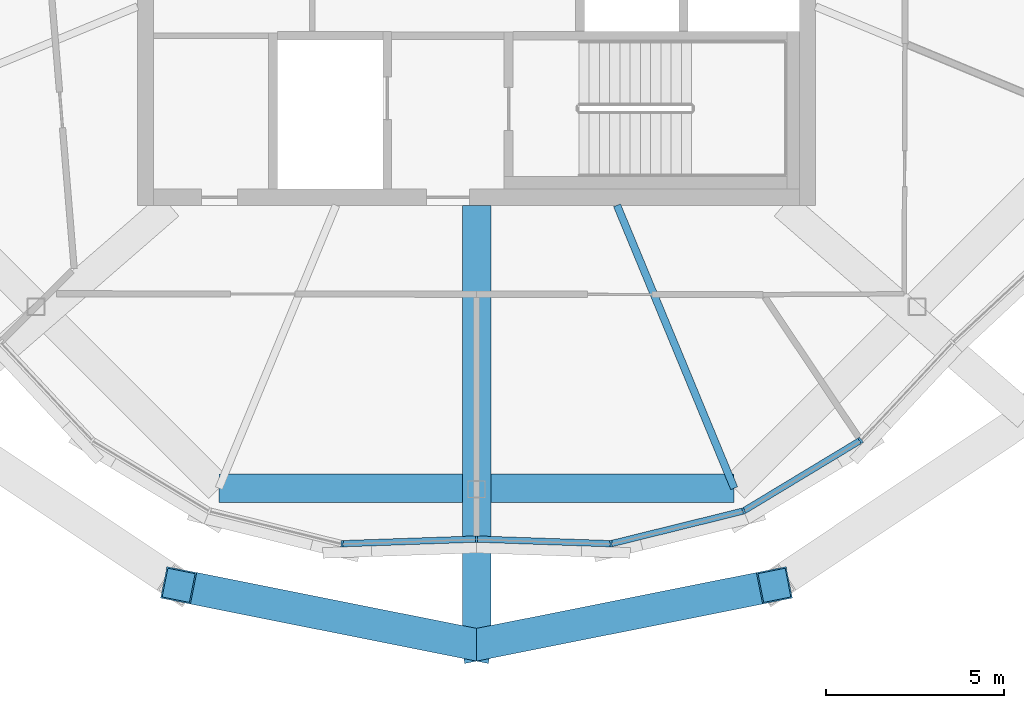
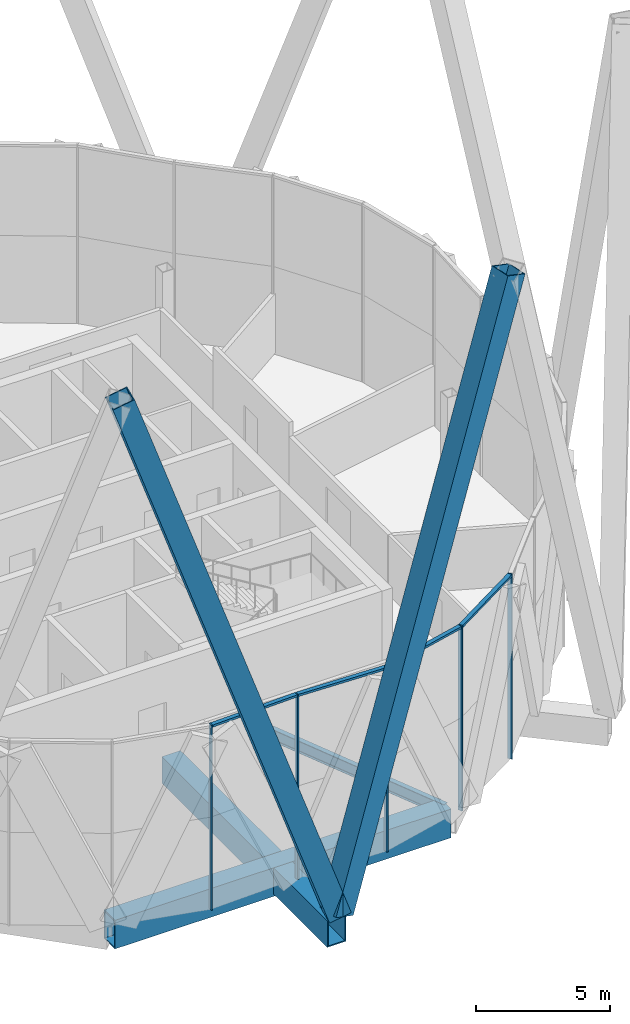
# One storey, part 4 of 38: 11 members, 3 beams, 2 elements without a shape of their own.
"""IFC4 building model written with IfcOpenShell, lengths in metres."""

from ifc_helpers import new_model, si_unit, direction, frame, origin, origin_2d, place, context, subcontext, project, spatial, rectangle, hollow_rectangle, i_section, extrude, material, material_profile, profile_set, type_object, element, aggregate, save


model = new_model("IFC4")

# Units and contexts
model_context = context("Model", 3, precision=1e-05, world=origin(), true_north=direction((0.0, 1.0)))
body_context = subcontext(model_context, "Body", "Model", "MODEL_VIEW")
ifc_project = project(units=[si_unit("LENGTHUNIT", "METRE"), si_unit("AREAUNIT", "SQUARE_METRE"), si_unit("VOLUMEUNIT", "CUBIC_METRE"), si_unit("PLANEANGLEUNIT", "RADIAN"), si_unit("MASSUNIT", "GRAM", prefix="KILO")], contexts=[model_context])

# Site, building, storey
site_placement = place(None, origin())
site = spatial("IfcSite", under=ifc_project, at=site_placement, CompositionType="ELEMENT")
building_placement = place(site_placement, origin())
building = spatial("IfcBuilding", under=site, at=building_placement, Name="Ogive Gate Towers", CompositionType="ELEMENT")
storey_placement = place(building_placement, frame((0.0, 0.0, 268.800048828125)))
storey = spatial("IfcBuildingStorey", under=building, at=storey_placement, Name="L63", CompositionType="ELEMENT", Elevation=268.800048828125)

# Members
ifc_material_1 = material(Name="Steel SM460", Category="steel")
ifc_material_profile_1 = material_profile(ifc_material_1, hollow_rectangle(XDim=0.89990234375, YDim=0.89990234375, WallThickness=0.0400390625, at=origin_2d()), Name="BX 900x900x40")
ifc_profile_set_1 = profile_set([ifc_material_profile_1], Name="Steel SM460")
member_type_1 = type_object("IfcMemberType", Name="Diagrid diagonal BX 900x900x40", PredefinedType="BRACE", material=ifc_profile_set_1)
for number, where, z_axis, x_axis, name in (
    (1, (-36.0, -21.81005859375, 0.0), (-0.313729069492, 0.062591606684, 0.947447287045), (-0.195652622636, -0.980673264271, 0.0), "T1/L63/SDG013"),
    (2, (-36.0, -21.81005859375, 0.0), (0.313729069492, 0.062591606684, 0.947447287045), (-0.195652622636, 0.980673264271, 0.0), "T1/L63/SDG014"),
):
    element("IfcMember", number, at=place(storey_placement, frame(where, z_axis=z_axis, x_axis=x_axis)), inside=storey, type_object=member_type_1, Name=name, PredefinedType="BRACE", context=body_context, shape_type="SweptSolid", body=[
        extrude(hollow_rectangle(XDim=0.89990234375, YDim=0.89990234375, WallThickness=0.0400390625, at=origin_2d()), origin(), (0.0, 0.0, 1.0), 26.59765625),
    ])

# Beams
ifc_material_profile_2 = material_profile(ifc_material_1, hollow_rectangle(XDim=0.800048828125, YDim=1.300048828125, WallThickness=0.050048828125, at=origin_2d()), Name="BX 1300x800x50")
ifc_profile_set_2 = profile_set([ifc_material_profile_2], Name="Steel SM460")
beam_type_1 = type_object("IfcBeamType", Name="Edge girder BX 1300x800x50", PredefinedType="BEAM", material=ifc_profile_set_2)
beam_1_placement = place(storey_placement, frame((-43.217529296875, -17.42431640625, -0.949951171875), z_axis=(1.0, 0.0, 0.0), x_axis=(0.0, 1.0, 0.0)))
element("IfcBeam", 3, at=beam_1_placement, inside=storey, type_object=beam_type_1, Name="T1/L63/SBM018", PredefinedType="BEAM", context=body_context, shape_type="SweptSolid", body=[
    extrude(hollow_rectangle(XDim=0.800048828125, YDim=1.300048828125, WallThickness=0.050048828125, at=origin_2d()), origin(), (0.0, 0.0, 1.0), 14.43505859375),
])
ifc_material_2 = material(Name="Steel SM355", Category="steel")
ifc_material_profile_3 = material_profile(ifc_material_2, i_section(OverallWidth=0.2099609375, OverallDepth=0.550048828125, WebThickness=0.010986328125, FlangeThickness=0.01708984375, FilletRadius=0.02392578125, at=origin_2d()), Name="IPE 550")
ifc_profile_set_3 = profile_set([ifc_material_profile_3], Name="Steel SM355")
beam_type_2 = type_object("IfcBeamType", Name="Radial floor beam IPE 550", PredefinedType="BEAM", material=ifc_profile_set_3)
beam_2_placement = place(storey_placement, frame((-32.06494140625, -9.5, -0.574951171875), z_axis=(0.382694515667, -0.923874941579, 0.0), x_axis=(0.923874941579, 0.382694515667, 0.0)))
element("IfcBeam", 4, at=beam_2_placement, inside=storey, type_object=beam_type_2, Name="T1/L63/SBM005", PredefinedType="BEAM", context=body_context, shape_type="SweptSolid", body=[
    extrude(i_section(OverallWidth=0.2099609375, OverallDepth=0.550048828125, WebThickness=0.010986328125, FlangeThickness=0.01708984375, FilletRadius=0.02392578125, at=origin_2d()), origin(), (0.0, 0.0, 1.0), 8.5771484375),
])

# Curtain wall, members
ifc_material_3 = material(Name="Pale metal aluminium", Category="aluminium")
curtain_wall_type = type_object("IfcCurtainWallType", Name="Tower unitised wall, high zone", PredefinedType="NOTDEFINED", material=ifc_material_3)
curtain_wall_1_placement = place(storey_placement, origin())
curtain_wall_1 = element("IfcCurtainWall", 5, at=curtain_wall_1_placement, inside=storey, type_object=curtain_wall_type, Name="CW2 T1 ECW06", PredefinedType="NOTDEFINED")
ifc_material_profile_4 = material_profile(ifc_material_3, rectangle(XDim=0.179931640625, YDim=0.06005859375, at=origin_2d()), Name="60 x 180 aluminium box")
ifc_profile_set_4 = profile_set([ifc_material_profile_4], Name="Pale metal aluminium")
member_type_2 = type_object("IfcMemberType", Name="Tower unitised wall, high zone mullion 60 x 180", PredefinedType="MULLION", material=ifc_profile_set_4)
member_1_placement = place(storey_placement, frame((-39.766845703125, -18.98046875, -0.300048828125), z_axis=(0.0, 0.0, 1.0), x_axis=(-0.103608461555, -0.994618161253, 0.0)))
member_1 = element("IfcMember", 6, at=member_1_placement, type_object=member_type_2, Name="CW2 mullion", PredefinedType="MULLION", context=body_context, shape_type="SweptSolid", body=[
    extrude(rectangle(XDim=0.179931640625, YDim=0.06005859375, at=origin_2d()), origin(), (0.0, 0.0, 1.0), 8.39990234375),
])
member_2_placement = place(storey_placement, frame((-36.000244140625, -18.85009765625, -0.300048828125), z_axis=(0.0, 0.0, 1.0), x_axis=(0.034533198497, -0.999403551225, 0.0)))
member_2 = element("IfcMember", 7, at=member_2_placement, type_object=member_type_2, Name="CW2 mullion", PredefinedType="MULLION", context=body_context, shape_type="SweptSolid", body=[
    extrude(rectangle(XDim=0.179931640625, YDim=0.06005859375, at=origin_2d()), origin(), (0.0, 0.0, 1.0), 8.39990234375),
])

curtain_wall_2_placement = place(storey_placement, origin())
curtain_wall_2 = element("IfcCurtainWall", 8, at=curtain_wall_2_placement, inside=storey, type_object=curtain_wall_type, Name="CW2 T1 ECW07", PredefinedType="NOTDEFINED")
member_3_placement = place(storey_placement, frame((-32.233154296875, -18.98046875, -0.300048828125), z_axis=(0.0, 0.0, 1.0), x_axis=(0.103608461555, -0.994618161253, 0.0)))
member_3 = element("IfcMember", 9, at=member_3_placement, type_object=member_type_2, Name="CW2 mullion", PredefinedType="MULLION", context=body_context, shape_type="SweptSolid", body=[
    extrude(rectangle(XDim=0.179931640625, YDim=0.06005859375, at=origin_2d()), origin(), (0.0, 0.0, 1.0), 8.39990234375),
])
member_4_placement = place(storey_placement, frame((-28.51806640625, -18.06298828125, -0.300048828125), z_axis=(0.0, 0.0, 1.0), x_axis=(0.382683432365, -0.923879532511, 0.0)))
member_4 = element("IfcMember", 10, at=member_4_placement, type_object=member_type_2, Name="CW2 mullion", PredefinedType="MULLION", context=body_context, shape_type="SweptSolid", body=[
    extrude(rectangle(XDim=0.179931640625, YDim=0.06005859375, at=origin_2d()), origin(), (0.0, 0.0, 1.0), 8.39990234375),
])
member_5_placement = place(storey_placement, frame((-25.242431640625, -16.084716796875, -0.300048828125), z_axis=(0.0, 0.0, 1.0), x_axis=(0.630039000759, -0.776563492267, 0.0)))
member_5 = element("IfcMember", 11, at=member_5_placement, type_object=member_type_2, Name="CW2 mullion", PredefinedType="MULLION", context=body_context, shape_type="SweptSolid", body=[
    extrude(rectangle(XDim=0.179931640625, YDim=0.06005859375, at=origin_2d()), origin(), (0.0, 0.0, 1.0), 8.39990234375),
])

# Member
ifc_material_profile_5 = material_profile(ifc_material_3, rectangle(XDim=0.179931640625, YDim=0.10009765625, at=origin_2d()), Name="100 x 180 aluminium box")
ifc_profile_set_5 = profile_set([ifc_material_profile_5], Name="Pale metal aluminium")
member_type_3 = type_object("IfcMemberType", Name="Tower unitised wall, high zone transom 100 x 180", PredefinedType="USERDEFINED", material=ifc_profile_set_5)
member_6_placement = place(storey_placement, frame((-39.73828125, -18.979248046875, 8.050048828125), z_axis=(0.999403104292, 0.034546130482, 0.0), x_axis=(-0.034546130482, 0.999403104292, 0.0)))
member_6 = element("IfcMember", 12, at=member_6_placement, type_object=member_type_3, Name="CW2 transom", ObjectType="TRANSOM", PredefinedType="USERDEFINED", context=body_context, shape_type="SweptSolid", body=[
    extrude(rectangle(XDim=0.179931640625, YDim=0.10009765625, at=origin_2d()), origin(), (0.0, 0.0, 1.0), 3.710205078125),
])

aggregate(curtain_wall_1, [member_1, member_2, member_6])

member_7_placement = place(storey_placement, frame((-35.9697265625, -18.85107421875, 8.050048828125), z_axis=(0.999403104292, -0.034546130482, 0.0), x_axis=(0.034546130482, 0.999403104292, 0.0)))
member_7 = element("IfcMember", 13, at=member_7_placement, type_object=member_type_3, Name="CW2 transom", ObjectType="TRANSOM", PredefinedType="USERDEFINED", context=body_context, shape_type="SweptSolid", body=[
    extrude(rectangle(XDim=0.179931640625, YDim=0.10009765625, at=origin_2d()), origin(), (0.0, 0.0, 1.0), 3.710205078125),
])

member_8_placement = place(storey_placement, frame((-32.205322265625, -18.973388671875, 8.050048828125), z_axis=(0.970828181988, 0.239776231218, 0.0), x_axis=(-0.239776231218, 0.970828181988, 0.0)))
member_8 = element("IfcMember", 14, at=member_8_placement, type_object=member_type_3, Name="CW2 transom", ObjectType="TRANSOM", PredefinedType="USERDEFINED", context=body_context, shape_type="SweptSolid", body=[
    extrude(rectangle(XDim=0.179931640625, YDim=0.10009765625, at=origin_2d()), origin(), (0.0, 0.0, 1.0), 3.769287109375),
])

member_9_placement = place(storey_placement, frame((-28.493896484375, -18.048095703125, 8.050048828125), z_axis=(0.856009288954, 0.516960440677, 0.0), x_axis=(-0.516960440677, 0.856009288954, 0.0)))
member_9 = element("IfcMember", 15, at=member_9_placement, type_object=member_type_3, Name="CW2 transom", ObjectType="TRANSOM", PredefinedType="USERDEFINED", context=body_context, shape_type="SweptSolid", body=[
    extrude(rectangle(XDim=0.179931640625, YDim=0.10009765625, at=origin_2d()), origin(), (0.0, 0.0, 1.0), 3.76953125),
])

aggregate(curtain_wall_2, [member_3, member_7, member_4, member_8, member_5, member_9])

# Beam
ifc_material_profile_6 = material_profile(ifc_material_1, hollow_rectangle(XDim=0.800048828125, YDim=1.199951171875, WallThickness=0.050048828125, at=origin_2d()), Name="BX 1200x800x50")
ifc_profile_set_6 = profile_set([ifc_material_profile_6], Name="Steel SM460")
beam_type_3 = type_object("IfcBeamType", Name="Transfer radial beam BX 1200x800x50", PredefinedType="BEAM", material=ifc_profile_set_6)
beam_3_placement = place(storey_placement, frame((-36.0, -9.5, -0.900146484375), z_axis=(0.0, -1.0, 0.0), x_axis=(1.0, 0.0, 0.0)))
element("IfcBeam", 16, at=beam_3_placement, inside=storey, type_object=beam_type_3, Name="T1/L63/SBM004", PredefinedType="BEAM", context=body_context, shape_type="SweptSolid", body=[
    extrude(hollow_rectangle(XDim=0.800048828125, YDim=1.199951171875, WallThickness=0.050048828125, at=origin_2d()), origin(), (0.0, 0.0, 1.0), 12.31005859375),
])

save(model, "model.ifc")
